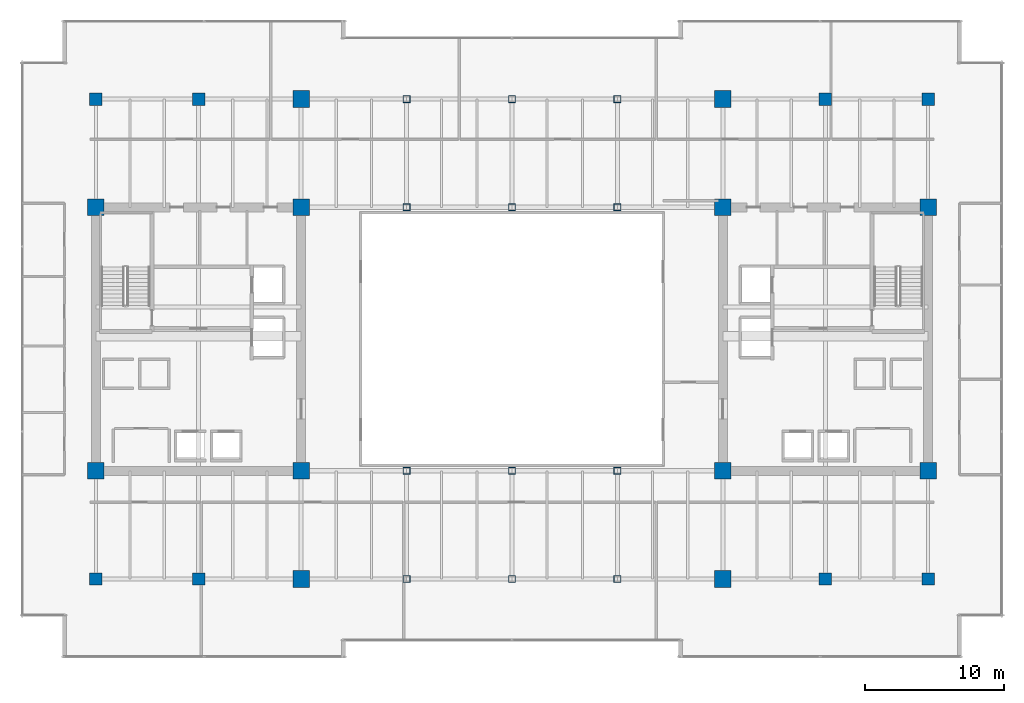
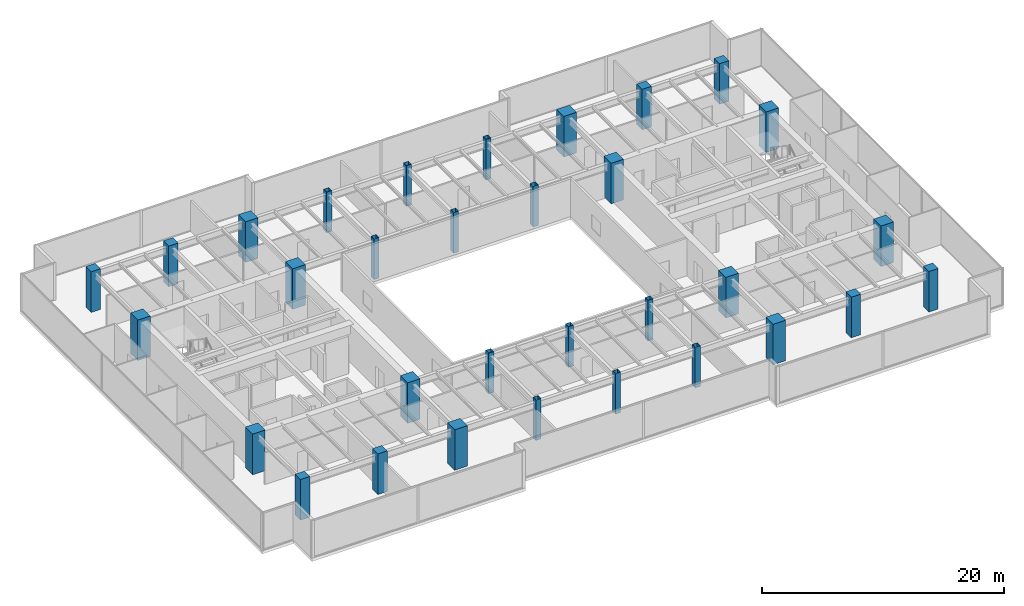
# One storey, part 1 of 31: 32 columns.
"""IFC4 building model written with IfcOpenShell, lengths in metres."""

from ifc_helpers import new_model, si_unit, direction, frame, origin, origin_2d, place, context, subcontext, project, spatial, rectangle, hollow_rectangle, extrude, source, transform, mapped, material, material_profile, profile_set, type_object, type_shapes, element, save


model = new_model("IFC4")

# Units and contexts
model_context = context("Model", 3, precision=1e-05, world=origin(), true_north=direction((0.0, 1.0)))
body_context = subcontext(model_context, "Body", "Model", "MODEL_VIEW")
ifc_project = project(units=[si_unit("LENGTHUNIT", "METRE"), si_unit("AREAUNIT", "SQUARE_METRE"), si_unit("VOLUMEUNIT", "CUBIC_METRE"), si_unit("PLANEANGLEUNIT", "RADIAN"), si_unit("MASSUNIT", "GRAM", prefix="KILO")], contexts=[model_context])

# Site, building, storey
site_placement = place(None, origin())
site = spatial("IfcSite", under=ifc_project, at=site_placement, CompositionType="ELEMENT")
building_placement = place(site_placement, origin())
building = spatial("IfcBuilding", under=site, at=building_placement, Name="Haelvirn Gate Laboratories", CompositionType="ELEMENT")
storey_placement = place(building_placement, frame((0.0, 0.0, 150.199951171875)))
storey = spatial("IfcBuildingStorey", under=building, at=storey_placement, Name="L36", CompositionType="ELEMENT", Elevation=150.199951171875)

# Columns
ifc_material_1 = material(Name="Concrete C50/60", Category="concrete")
ifc_material_profile_1 = material_profile(ifc_material_1, rectangle(XDim=0.89990234375, YDim=0.89990234375, at=origin_2d()), Name="RC-900x900")
ifc_profile_set_1 = profile_set([ifc_material_profile_1], Name="Concrete C50/60")
column_type_1 = type_object("IfcColumnType", Name="COL-RC-900", PredefinedType="COLUMN", material=ifc_profile_set_1)
shared_shape_1 = source(origin(), body_context, "Body", "SweptSolid", [
    extrude(rectangle(XDim=0.89990234375, YDim=0.89990234375, at=origin_2d()), origin(), (0.0, 0.0, 1.0), 4.10009765625),
])
type_shapes(column_type_1, [shared_shape_1])
for number, where, z_axis, x_axis, name in (
    (1, (14.800048828125, 7.0, 0.0), (0.0, 0.0, 1.0), (1.0, 0.0, 0.0), "L36 Column 3B"),
    (2, (14.800048828125, 41.60009765625, 0.0), (0.0, 0.0, 1.0), (1.0, 0.0, 0.0), "L36 Column 3G"),
    (3, (60.0, 7.0, 0.0), (0.0, 0.0, 1.0), (1.0, 0.0, 0.0), "L36 Column 9B"),
    (4, (60.0, 41.60009765625, 0.0), (0.0, 0.0, 1.0), (1.0, 0.0, 0.0), "L36 Column 9G"),
    (5, (7.39990234375, 7.0, 0.0), (0.0, 0.0, 1.0), (1.0, 0.0, 0.0), "L36 Column 2B"),
    (6, (7.39990234375, 41.60009765625, 0.0), (0.0, 0.0, 1.0), (1.0, 0.0, 0.0), "L36 Column 2G"),
    (7, (67.39990234375, 7.0, 0.0), (0.0, 0.0, 1.0), (1.0, 0.0, 0.0), "L36 Column 10B"),
    (8, (67.39990234375, 41.60009765625, 0.0), (0.0, 0.0, 1.0), (1.0, 0.0, 0.0), "L36 Column 10G"),
):
    element("IfcColumn", number, at=place(storey_placement, frame(where, z_axis=z_axis, x_axis=x_axis)), inside=storey, type_object=column_type_1, Name=name, PredefinedType="COLUMN", context=body_context, shape_type="MappedRepresentation", body=[
        mapped(shared_shape_1, transform((0.0, 0.0, 0.0), scale=1.0)),
    ])
ifc_material_2 = material(Name="Concrete C60/75", Category="concrete")
ifc_material_profile_2 = material_profile(ifc_material_2, rectangle(XDim=1.199951171875, YDim=1.199951171875, at=origin_2d()), Name="SRC-1200x1200")
ifc_profile_set_2 = profile_set([ifc_material_profile_2], Name="Concrete C60/75")
column_type_2 = type_object("IfcColumnType", Name="COL-SRC-1200", PredefinedType="COLUMN", material=ifc_profile_set_2)
shared_shape_2 = source(origin(), body_context, "Body", "SweptSolid", [
    extrude(rectangle(XDim=1.199951171875, YDim=1.199951171875, at=origin_2d()), origin(), (0.0, 0.0, 1.0), 4.10009765625),
])
type_shapes(column_type_2, [shared_shape_2])
for number, where, z_axis, x_axis, name in (
    (9, (22.199951171875, 7.0, 0.0), (0.0, 0.0, 1.0), (1.0, 0.0, 0.0), "L36 Column 4B"),
    (10, (7.39990234375, 14.800048828125, 0.0), (0.0, 0.0, 1.0), (1.0, 0.0, 0.0), "L36 Column 2C"),
    (11, (22.199951171875, 14.800048828125, 0.0), (0.0, 0.0, 1.0), (1.0, 0.0, 0.0), "L36 Column 4C"),
    (12, (7.39990234375, 33.800048828125, 0.0), (0.0, 0.0, 1.0), (1.0, 0.0, 0.0), "L36 Column 2F"),
    (13, (22.199951171875, 33.800048828125, 0.0), (0.0, 0.0, 1.0), (1.0, 0.0, 0.0), "L36 Column 4F"),
    (14, (22.199951171875, 41.60009765625, 0.0), (0.0, 0.0, 1.0), (1.0, 0.0, 0.0), "L36 Column 4G"),
    (15, (52.60009765625, 7.0, 0.0), (0.0, 0.0, 1.0), (1.0, 0.0, 0.0), "L36 Column 8B"),
    (16, (52.60009765625, 14.800048828125, 0.0), (0.0, 0.0, 1.0), (1.0, 0.0, 0.0), "L36 Column 8C"),
    (17, (67.39990234375, 14.800048828125, 0.0), (0.0, 0.0, 1.0), (1.0, 0.0, 0.0), "L36 Column 10C"),
    (18, (52.60009765625, 33.800048828125, 0.0), (0.0, 0.0, 1.0), (1.0, 0.0, 0.0), "L36 Column 8F"),
    (19, (67.39990234375, 33.800048828125, 0.0), (0.0, 0.0, 1.0), (1.0, 0.0, 0.0), "L36 Column 10F"),
    (20, (52.60009765625, 41.60009765625, 0.0), (0.0, 0.0, 1.0), (1.0, 0.0, 0.0), "L36 Column 8G"),
):
    element("IfcColumn", number, at=place(storey_placement, frame(where, z_axis=z_axis, x_axis=x_axis)), inside=storey, type_object=column_type_2, Name=name, PredefinedType="COLUMN", context=body_context, shape_type="MappedRepresentation", body=[
        mapped(shared_shape_2, transform((0.0, 0.0, 0.0), scale=1.0)),
    ])
ifc_material_3 = material(Name="Steel SM355", Category="steel")
ifc_material_profile_3 = material_profile(ifc_material_3, hollow_rectangle(XDim=0.5, YDim=0.5, WallThickness=0.02197265625, at=origin_2d()), Name="BOX-500x500x22")
ifc_profile_set_3 = profile_set([ifc_material_profile_3], Name="Steel SM355")
column_type_3 = type_object("IfcColumnType", Name="COL-BOX-500", PredefinedType="COLUMN", material=ifc_profile_set_3)
shared_shape_3 = source(origin(), body_context, "Body", "SweptSolid", [
    extrude(hollow_rectangle(XDim=0.5, YDim=0.5, WallThickness=0.02197265625, at=origin_2d()), origin(), (0.0, 0.0, 1.0), 4.10009765625),
])
type_shapes(column_type_3, [shared_shape_3])
for number, where, z_axis, x_axis, name in (
    (21, (29.800048828125, 7.0, 0.0), (0.0, 0.0, 1.0), (1.0, 0.0, 0.0), "L36 Column 5B"),
    (22, (29.800048828125, 14.800048828125, 0.0), (0.0, 0.0, 1.0), (1.0, 0.0, 0.0), "L36 Column 5C"),
    (23, (29.800048828125, 33.800048828125, 0.0), (0.0, 0.0, 1.0), (1.0, 0.0, 0.0), "L36 Column 5F"),
    (24, (29.800048828125, 41.60009765625, 0.0), (0.0, 0.0, 1.0), (1.0, 0.0, 0.0), "L36 Column 5G"),
    (25, (37.39990234375, 7.0, 0.0), (0.0, 0.0, 1.0), (1.0, 0.0, 0.0), "L36 Column 6B"),
    (26, (37.39990234375, 14.800048828125, 0.0), (0.0, 0.0, 1.0), (1.0, 0.0, 0.0), "L36 Column 6C"),
    (27, (37.39990234375, 33.800048828125, 0.0), (0.0, 0.0, 1.0), (1.0, 0.0, 0.0), "L36 Column 6F"),
    (28, (37.39990234375, 41.60009765625, 0.0), (0.0, 0.0, 1.0), (1.0, 0.0, 0.0), "L36 Column 6G"),
    (29, (45.0, 7.0, 0.0), (0.0, 0.0, 1.0), (1.0, 0.0, 0.0), "L36 Column 7B"),
    (30, (45.0, 14.800048828125, 0.0), (0.0, 0.0, 1.0), (1.0, 0.0, 0.0), "L36 Column 7C"),
    (31, (45.0, 33.800048828125, 0.0), (0.0, 0.0, 1.0), (1.0, 0.0, 0.0), "L36 Column 7F"),
    (32, (45.0, 41.60009765625, 0.0), (0.0, 0.0, 1.0), (1.0, 0.0, 0.0), "L36 Column 7G"),
):
    element("IfcColumn", number, at=place(storey_placement, frame(where, z_axis=z_axis, x_axis=x_axis)), inside=storey, type_object=column_type_3, Name=name, PredefinedType="COLUMN", context=body_context, shape_type="MappedRepresentation", body=[
        mapped(shared_shape_3, transform((0.0, 0.0, 0.0), scale=1.0)),
    ])

save(model, "model.ifc")
